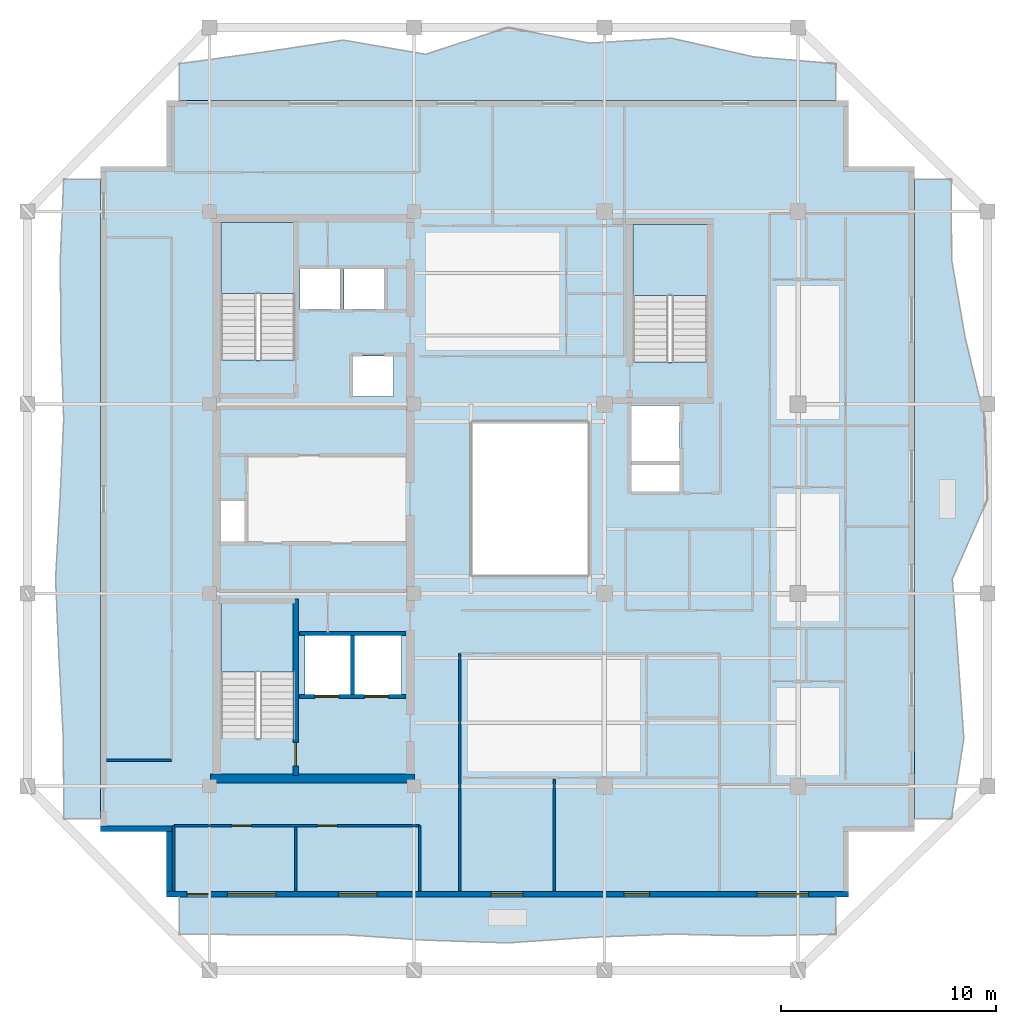
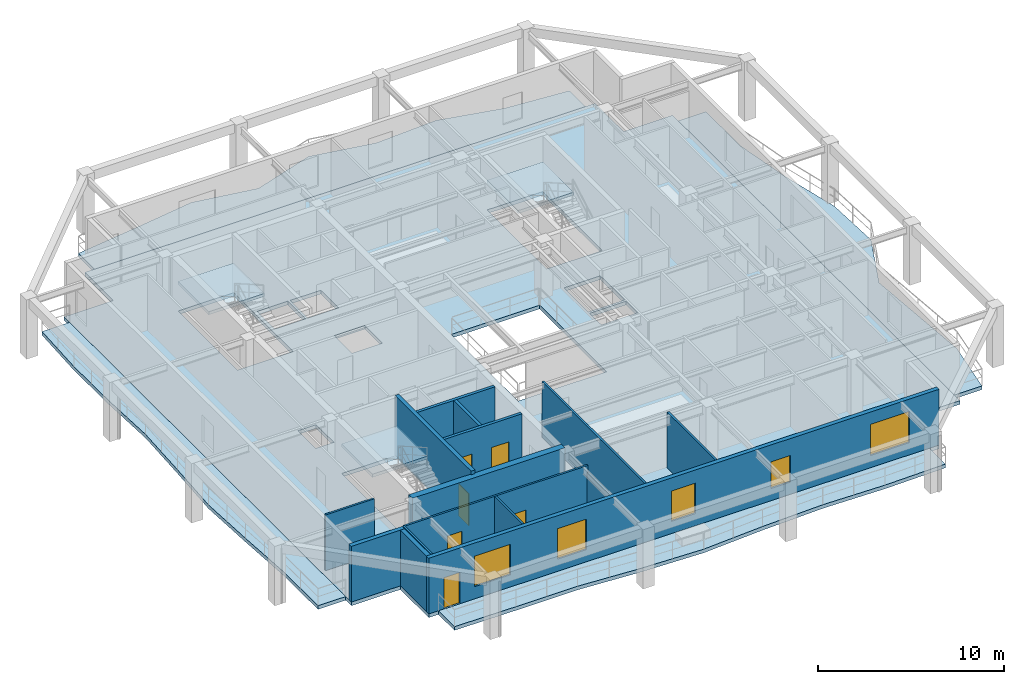
# One storey, part 2 of 10: 15 walls, 8 slabs, 6 doors, 5 windows, 11 openings, 3 elements without a shape of their own.
"""IFC4 building model written with IfcOpenShell, lengths in metres."""

from ifc_helpers import new_model, si_unit, direction, frame, frame_2d, origin, place, context, subcontext, project, spatial, polyline, rectangle, outline, extrude, material, layer, layer_set, type_object, element, fill, aggregate, save


model = new_model("IFC4")

# Units and contexts
model_context = context("Model", 3, precision=1e-05, world=origin(), true_north=direction((0.0, 1.0)))
body_context = subcontext(model_context, "Body", "Model", "MODEL_VIEW")
ifc_project = project(units=[si_unit("LENGTHUNIT", "METRE"), si_unit("AREAUNIT", "SQUARE_METRE"), si_unit("VOLUMEUNIT", "CUBIC_METRE"), si_unit("PLANEANGLEUNIT", "RADIAN"), si_unit("MASSUNIT", "GRAM", prefix="KILO")], contexts=[model_context])

# Site, building, storey
site_placement = place(None, origin())
site = spatial("IfcSite", under=ifc_project, at=site_placement, CompositionType="ELEMENT")
building_placement = place(site_placement, origin())
building = spatial("IfcBuilding", under=site, at=building_placement, Name="Kundavana Baori Tower", CompositionType="ELEMENT")
storey_placement = place(building_placement, frame((0.0, 0.0, 288.199951171875)))
storey = spatial("IfcBuildingStorey", under=building, at=storey_placement, Name="L71", CompositionType="ELEMENT", Elevation=288.199951171875)

# Slab
ifc_material_1 = material(Name="Concrete C40/50", Category="concrete")
ifc_layer_1 = layer(ifc_material_1, 0.239990234375, Name="SLB-FLR-240")
ifc_layer_set_1 = layer_set([ifc_layer_1], Name="Concrete C40/50")
slab_type_1 = type_object("IfcSlabType", Name="SLB-FLR-240", PredefinedType="FLOOR", material=ifc_layer_set_1)
slab_1_placement = place(storey_placement, frame((0.0, 0.0, -0.239990234375)))
element("IfcSlab", 1, at=slab_1_placement, inside=storey, type_object=slab_type_1, Name="L71 Structural Floor Slab", PredefinedType="FLOOR", context=body_context, shape_type="SweptSolid", body=[
    extrude(outline(polyline([(13.449951171875, 10.10009765625), (45.14990234375, 10.10009765625), (45.14990234375, 13.14990234375), (48.199951171875, 13.14990234375), (48.199951171875, 44.050048828125), (45.14990234375, 44.050048828125), (45.14990234375, 47.10009765625), (13.449951171875, 47.10009765625), (13.449951171875, 44.050048828125), (10.39990234375, 44.050048828125), (10.39990234375, 13.14990234375), (13.449951171875, 13.14990234375), (13.449951171875, 10.10009765625)]), holes=[polyline([(19.43994140625, 17.4619140625), (19.43994140625, 23.85009765625), (15.97998046875, 23.85009765625), (15.97998046875, 17.4619140625), (19.43994140625, 17.4619140625)]), polyline([(19.43994140625, 35.06201171875), (19.43994140625, 41.449951171875), (15.97998046875, 41.449951171875), (15.97998046875, 35.06201171875), (19.43994140625, 35.06201171875)]), polyline([(38.580078125, 34.9619140625), (38.580078125, 41.35009765625), (35.1201171875, 41.35009765625), (35.1201171875, 34.9619140625), (38.580078125, 34.9619140625)]), polyline([(19.64990234375, 37.39990234375), (21.550048828125, 37.39990234375), (21.550048828125, 39.300048828125), (19.64990234375, 39.300048828125), (19.64990234375, 37.39990234375)]), polyline([(21.699951171875, 37.39990234375), (23.60009765625, 37.39990234375), (23.60009765625, 39.300048828125), (21.699951171875, 39.300048828125), (21.699951171875, 37.39990234375)]), polyline([(22.10009765625, 33.35009765625), (24.0, 33.35009765625), (24.0, 35.25), (22.10009765625, 35.25), (22.10009765625, 33.35009765625)]), polyline([(19.8798828125, 19.5), (22.02001953125, 19.5), (22.02001953125, 22.25), (19.8798828125, 22.25), (19.8798828125, 19.5)]), polyline([(22.179931640625, 19.5), (24.3798828125, 19.5), (24.3798828125, 22.25), (22.179931640625, 22.25), (22.179931640625, 19.5)]), polyline([(35.050048828125, 30.35009765625), (37.300048828125, 30.35009765625), (37.300048828125, 32.949951171875), (35.050048828125, 32.949951171875), (35.050048828125, 30.35009765625)]), polyline([(15.949951171875, 26.60009765625), (17.080078125, 26.60009765625), (17.080078125, 28.5), (15.949951171875, 28.5), (15.949951171875, 26.60009765625)]), polyline([(35.050048828125, 28.949951171875), (37.300048828125, 28.949951171875), (37.300048828125, 30.199951171875), (35.050048828125, 30.199951171875), (35.050048828125, 28.949951171875)]), polyline([(27.60009765625, 25.0), (33.10009765625, 25.0), (33.10009765625, 32.199951171875), (27.60009765625, 32.199951171875), (27.60009765625, 25.0)])]), origin(), (0.0, 0.0, 1.0), 0.239990234375),
])

# Stair, slab
ifc_material_2 = material(Name="Concrete C40/50", Category="concrete")
stair_type = type_object("IfcStairType", Name="STR-DOG-1650", PredefinedType="HALF_TURN_STAIR", material=ifc_material_2)
stair_1_placement = place(storey_placement, origin())
stair_1 = element("IfcStair", 2, at=stair_1_placement, inside=storey, type_object=stair_type, Name="L71 Protected Exit Stair ST1", PredefinedType="HALF_TURN_STAIR")
ifc_material_3 = material(Name="Concrete C40/50", Category="concrete")
ifc_layer_2 = layer(ifc_material_3, 0.199951171875, Name="SLB-LND-200")
ifc_layer_set_2 = layer_set([ifc_layer_2], Name="Concrete C40/50")
slab_type_2 = type_object("IfcSlabType", Name="SLB-LND-200", PredefinedType="LANDING", material=ifc_layer_set_2)
slab_2_placement = place(storey_placement, frame((0.0, 0.0, 1.75)))
slab_2 = element("IfcSlab", 3, at=slab_2_placement, type_object=slab_type_2, Name="ST1 landing 1", PredefinedType="LANDING", context=body_context, shape_type="SweptSolid", body=[
    extrude(outline(polyline([(19.43994140625, 20.550048828125), (19.43994140625, 23.85009765625), (15.97998046875, 23.85009765625), (15.97998046875, 20.550048828125), (19.43994140625, 20.550048828125)])), origin(), (0.0, 0.0, 1.0), 0.199951171875),
])
aggregate(stair_1, [slab_2])

stair_2_placement = place(storey_placement, origin())
stair_2 = element("IfcStair", 4, at=stair_2_placement, inside=storey, type_object=stair_type, Name="L71 Protected Exit Stair ST2", PredefinedType="HALF_TURN_STAIR")
slab_3_placement = place(storey_placement, frame((0.0, 0.0, 1.75)))
slab_3 = element("IfcSlab", 5, at=slab_3_placement, type_object=slab_type_2, Name="ST2 landing 1", PredefinedType="LANDING", context=body_context, shape_type="SweptSolid", body=[
    extrude(outline(polyline([(19.43994140625, 38.14990234375), (19.43994140625, 41.449951171875), (15.97998046875, 41.449951171875), (15.97998046875, 38.14990234375), (19.43994140625, 38.14990234375)])), origin(), (0.0, 0.0, 1.0), 0.199951171875),
])
aggregate(stair_2, [slab_3])

stair_3_placement = place(storey_placement, origin())
stair_3 = element("IfcStair", 6, at=stair_3_placement, inside=storey, type_object=stair_type, Name="L71 Protected Exit Stair ST3", PredefinedType="HALF_TURN_STAIR")
slab_4_placement = place(storey_placement, frame((0.0, 0.0, 1.75)))
slab_4 = element("IfcSlab", 7, at=slab_4_placement, type_object=slab_type_2, Name="ST3 landing 1", PredefinedType="LANDING", context=body_context, shape_type="SweptSolid", body=[
    extrude(outline(polyline([(38.580078125, 38.050048828125), (38.580078125, 41.35009765625), (35.1201171875, 41.35009765625), (35.1201171875, 38.050048828125), (38.580078125, 38.050048828125)])), origin(), (0.0, 0.0, 1.0), 0.199951171875),
])
aggregate(stair_3, [slab_4])

# Slabs
ifc_material_4 = material(Name="Concrete C40/50", Category="concrete")
ifc_layer_3 = layer(ifc_material_4, 0.239990234375, Name="SLB-LOG-240")
ifc_layer_set_3 = layer_set([ifc_layer_3], Name="Concrete C40/50")
slab_type_3 = type_object("IfcSlabType", Name="SLB-LOG-240", PredefinedType="FLOOR", material=ifc_layer_set_3)
slab_5_placement = place(storey_placement, frame((0.0, 0.0, -0.239990234375)))
element("IfcSlab", 8, at=slab_5_placement, inside=storey, type_object=slab_type_3, Name="L71 Planted Loggia Balcony Slab S", PredefinedType="FLOOR", context=body_context, shape_type="SweptSolid", body=[
    extrude(outline(polyline([(14.050048828125, 10.10009765625), (44.550048828125, 10.10009765625), (44.550048828125, 8.3798828125), (40.737060546875, 8.298095703125), (36.925048828125, 8.37890625), (33.112060546875, 8.23095703125), (29.300048828125, 7.971923828125), (25.487060546875, 8.10107421875), (21.675048828125, 8.35693359375), (17.863037109375, 8.35009765625), (14.050048828125, 8.3798828125), (14.050048828125, 10.10009765625)])), origin(), (0.0, 0.0, 1.0), 0.239990234375),
])
slab_6_placement = place(storey_placement, frame((0.0, 0.0, -0.239990234375)))
element("IfcSlab", 9, at=slab_6_placement, inside=storey, type_object=slab_type_3, Name="L71 Planted Loggia Balcony Slab E", PredefinedType="FLOOR", context=body_context, shape_type="SweptSolid", body=[
    extrude(outline(polyline([(48.199951171875, 13.75), (48.199951171875, 43.449951171875), (49.919921875, 43.449951171875), (49.929931640625, 39.738037109375), (50.575927734375, 36.02490234375), (51.470947265625, 32.31201171875), (51.60009765625, 28.60009765625), (49.964111328125, 24.887939453125), (50.235107421875, 21.175048828125), (50.5, 17.4619140625), (49.919921875, 13.75), (48.199951171875, 13.75)])), origin(), (0.0, 0.0, 1.0), 0.239990234375),
])
slab_7_placement = place(storey_placement, frame((0.0, 0.0, -0.239990234375)))
element("IfcSlab", 10, at=slab_7_placement, inside=storey, type_object=slab_type_3, Name="L71 Planted Loggia Balcony Slab N", PredefinedType="FLOOR", context=body_context, shape_type="SweptSolid", body=[
    extrude(outline(polyline([(44.550048828125, 47.10009765625), (14.050048828125, 47.10009765625), (14.050048828125, 48.820068359375), (17.863037109375, 49.342041015625), (21.675048828125, 49.916015625), (25.487060546875, 49.2548828125), (29.300048828125, 50.5), (33.112060546875, 49.777099609375), (36.925048828125, 50.0029296875), (40.737060546875, 49.136962890625), (44.550048828125, 48.820068359375), (44.550048828125, 47.10009765625)])), origin(), (0.0, 0.0, 1.0), 0.239990234375),
])
slab_8_placement = place(storey_placement, frame((0.0, 0.0, -0.239990234375)))
element("IfcSlab", 11, at=slab_8_placement, inside=storey, type_object=slab_type_3, Name="L71 Planted Loggia Balcony Slab W", PredefinedType="FLOOR", context=body_context, shape_type="SweptSolid", body=[
    extrude(outline(polyline([(10.39990234375, 43.449951171875), (10.39990234375, 13.75), (8.679931640625, 13.75), (8.6640625, 17.4619140625), (8.4619140625, 21.175048828125), (8.302978515625, 24.887939453125), (8.510009765625, 28.60009765625), (8.679931640625, 32.31201171875), (8.547119140625, 36.02490234375), (8.52197265625, 39.738037109375), (8.679931640625, 43.449951171875), (10.39990234375, 43.449951171875)])), origin(), (0.0, 0.0, 1.0), 0.239990234375),
])

# Wall
ifc_material_5 = material(Name="Concrete C50/60", Category="concrete")
ifc_layer_4 = layer(ifc_material_5, 0.39990234375, Name="WL-CORE-400")
ifc_layer_set_4 = layer_set([ifc_layer_4], Name="Concrete C50/60")
wall_type_1 = type_object("IfcWallType", Name="WL-CORE-400", PredefinedType="SHEAR", material=ifc_layer_set_4)
wall_1_placement = place(storey_placement, frame((15.5, 15.610107421875, 0.0), z_axis=(0.0, 0.0, 1.0), x_axis=(1.0, 0.0, 0.0)))
element("IfcWall", 12, at=wall_1_placement, inside=storey, type_object=wall_type_1, Name="L71 Offset Core South Shear Wall", PredefinedType="SHEAR", context=body_context, shape_type="SweptSolid", body=[
    extrude(rectangle(XDim=9.47998046875, YDim=0.39990234375, at=frame_2d((4.739990234375, 0.0))), origin(), (0.0, 0.0, 1.0), 3.66015625),
])

# Wall, opening, door
wall_2_placement = place(storey_placement, frame((19.4599609375, 15.739990234375, 0.0), z_axis=(0.0, 0.0, 1.0), x_axis=(0.0, 1.0, 0.0)))
wall_2 = element("IfcWall", 13, at=wall_2_placement, inside=storey, type_object=wall_type_1, Name="WL-L71-ST1-E", PredefinedType="SHEAR", context=body_context, shape_type="SweptSolid", body=[
    extrude(rectangle(XDim=8.199951171875, YDim=0.239990234375, at=frame_2d((4.10009765625, 0.0))), origin(), (0.0, 0.0, 1.0), 3.900146484375),
])
opening_1_placement = place(wall_2_placement, frame((0.449951171875, 0.0, 0.0)))
opening_1 = element("IfcOpeningElement", 14, at=opening_1_placement, cuts=wall_2, Name="Opening FD-110", PredefinedType="OPENING", context=body_context, shape_type="SweptSolid", body=[
    extrude(rectangle(XDim=1.10009765625, YDim=2.10009765625, at=frame_2d((0.550048828125, 1.050048828125))), frame((0.0, 0.1298828125, 0.0), z_axis=(0.0, -1.0, 0.0), x_axis=(1.0, 0.0, 0.0)), (0.0, 0.0, 1.0), 0.260009765625),
])
ifc_material_6 = material(Name="Galvanised Steel Fire-Rated Door Leaf", Category="steel")
door_type_1 = type_object("IfcDoorType", Name="DR-FD120-1100", OperationType="NOTDEFINED", PredefinedType="DOOR", material=ifc_material_6)
door_1_placement = place(opening_1_placement, origin())
door_1 = element("IfcDoor", 15, at=door_1_placement, inside=storey, type_object=door_type_1, Name="DR-L71-ST1", OperationType="SINGLE_SWING_LEFT", OverallHeight=2.10009765625, OverallWidth=1.10009765625, PredefinedType="DOOR", context=body_context, shape_type="SweptSolid", body=[
    extrude(rectangle(XDim=1.10009765625, YDim=2.10009765625, at=frame_2d((0.550048828125, 1.050048828125))), frame((0.0, 0.02490234375, 0.0), z_axis=(0.0, -1.0, 0.0), x_axis=(1.0, 0.0, 0.0)), (0.0, 0.0, 1.0), 0.050048828125),
])
fill(opening_1, door_1)

# Wall, openings, door, windows
ifc_material_7 = material(Name="Kiln-Fired Terracotta Brick-Slip Masonry on Concrete C40/50", Category="masonry")
ifc_layer_5 = layer(ifc_material_7, 0.260009765625, Name="WL-EXT-BRK-260")
ifc_layer_set_5 = layer_set([ifc_layer_5], Name="Kiln-Fired Terracotta Brick-Slip Masonry on Concrete C40/50")
wall_type_2 = type_object("IfcWallType", Name="WL-EXT-BRK-260", PredefinedType="SOLIDWALL", material=ifc_layer_set_5)
wall_3_placement = place(storey_placement, frame((13.449951171875, 10.22998046875, 0.0), z_axis=(0.0, 0.0, 1.0), x_axis=(1.0, 0.0, 0.0)))
wall_3 = element("IfcWall", 16, at=wall_3_placement, inside=storey, type_object=wall_type_2, Name="L71 Exterior Insulated Facade Wall 01", PredefinedType="SOLIDWALL", context=body_context, shape_type="SweptSolid", body=[
    extrude(rectangle(XDim=31.699951171875, YDim=0.260009765625, at=frame_2d((15.85009765625, 0.0))), origin(), (0.0, 0.0, 1.0), 3.66015625),
])
opening_2_placement = place(wall_3_placement, frame((0.949951171875, 0.0, 0.0)))
opening_2 = element("IfcOpeningElement", 17, at=opening_2_placement, cuts=wall_3, Name="Opening BD-1", PredefinedType="OPENING", context=body_context, shape_type="SweptSolid", body=[
    extrude(rectangle(XDim=1.0, YDim=2.050048828125, at=frame_2d((0.5, 1.02490234375))), frame((0.0, 0.14013671875, 0.0), z_axis=(0.0, -1.0, 0.0), x_axis=(1.0, 0.0, 0.0)), (0.0, 0.0, 1.0), 0.280029296875),
])
opening_3_placement = place(wall_3_placement, frame((2.8349609375, 0.0, 0.800048828125)))
opening_3 = element("IfcOpeningElement", 18, at=opening_3_placement, cuts=wall_3, Name="Opening W-10", PredefinedType="OPENING", context=body_context, shape_type="SweptSolid", body=[
    extrude(rectangle(XDim=2.25, YDim=2.0, at=frame_2d((1.125, 1.0))), frame((0.0, 0.14013671875, 0.0), z_axis=(0.0, -1.0, 0.0), x_axis=(1.0, 0.0, 0.0)), (0.0, 0.0, 1.0), 0.280029296875),
])
opening_4_placement = place(wall_3_placement, frame((7.9951171875, 0.0, 0.800048828125)))
opening_4 = element("IfcOpeningElement", 19, at=opening_4_placement, cuts=wall_3, Name="Opening W-01", PredefinedType="OPENING", context=body_context, shape_type="SweptSolid", body=[
    extrude(rectangle(XDim=1.800048828125, YDim=2.0, at=frame_2d((0.89990234375, 1.0))), frame((0.0, 0.14013671875, 0.0), z_axis=(0.0, -1.0, 0.0), x_axis=(1.0, 0.0, 0.0)), (0.0, 0.0, 1.0), 0.280029296875),
])
opening_5_placement = place(wall_3_placement, frame((15.072998046875, 0.0, 0.800048828125)))
opening_5 = element("IfcOpeningElement", 20, at=opening_5_placement, cuts=wall_3, Name="Opening W-02", PredefinedType="OPENING", context=body_context, shape_type="SweptSolid", body=[
    extrude(rectangle(XDim=1.5, YDim=2.0, at=frame_2d((0.75, 1.0))), frame((0.0, 0.14013671875, 0.0), z_axis=(0.0, -1.0, 0.0), x_axis=(1.0, 0.0, 0.0)), (0.0, 0.0, 1.0), 0.280029296875),
])
opening_6_placement = place(wall_3_placement, frame((21.258056640625, 0.0, 0.800048828125)))
opening_6 = element("IfcOpeningElement", 21, at=opening_6_placement, cuts=wall_3, Name="Opening W-03", PredefinedType="OPENING", context=body_context, shape_type="SweptSolid", body=[
    extrude(rectangle(XDim=1.199951171875, YDim=1.75, at=frame_2d((0.60009765625, 0.875))), frame((0.0, 0.14013671875, 0.0), z_axis=(0.0, -1.0, 0.0), x_axis=(1.0, 0.0, 0.0)), (0.0, 0.0, 1.0), 0.280029296875),
])
opening_7_placement = place(wall_3_placement, frame((27.445068359375, 0.0, 0.800048828125)))
opening_7 = element("IfcOpeningElement", 22, at=opening_7_placement, cuts=wall_3, Name="Opening W-04", PredefinedType="OPENING", context=body_context, shape_type="SweptSolid", body=[
    extrude(rectangle(XDim=2.39990234375, YDim=2.050048828125, at=frame_2d((1.199951171875, 1.02490234375))), frame((0.0, 0.14013671875, 0.0), z_axis=(0.0, -1.0, 0.0), x_axis=(1.0, 0.0, 0.0)), (0.0, 0.0, 1.0), 0.280029296875),
])
ifc_material_8 = material(Name="Architectural Patinated Bronze Metalwork")
door_type_2 = type_object("IfcDoorType", Name="DR-EXT-LOG-1000", OperationType="NOTDEFINED", PredefinedType="DOOR", material=ifc_material_8)
door_2_placement = place(opening_2_placement, frame((1.0, 0.0, 0.0), z_axis=(0.0, 0.0, 1.0), x_axis=(-1.0, 0.0, 0.0)))
door_2 = element("IfcDoor", 23, at=door_2_placement, inside=storey, type_object=door_type_2, Name="L71 Loggia Balcony Access Door S", OperationType="SINGLE_SWING_LEFT", OverallHeight=2.050048828125, OverallWidth=1.0, PredefinedType="DOOR", context=body_context, shape_type="SweptSolid", body=[
    extrude(rectangle(XDim=1.0, YDim=2.050048828125, at=frame_2d((0.5, 1.02490234375))), frame((0.0, 0.02490234375, 0.0), z_axis=(0.0, -1.0, 0.0), x_axis=(1.0, 0.0, 0.0)), (0.0, 0.0, 1.0), 0.050048828125),
])
fill(opening_2, door_2)
ifc_material_9 = material(Name="Double-Glazed Solar-Control Low-E Insulated Glass", Category="glass")
window_type_1 = type_object("IfcWindowType", Name="WIN-LOG-1200x1750", PartitioningType="SINGLE_PANEL", PredefinedType="WINDOW", material=ifc_material_9)
window_1_placement = place(opening_6_placement, origin())
window_1 = element("IfcWindow", 24, at=window_1_placement, inside=storey, type_object=window_type_1, Name="L71 Recessed Loggia Window S-4", OverallHeight=1.75, OverallWidth=1.199951171875, PartitioningType="SINGLE_PANEL", PredefinedType="WINDOW", context=body_context, shape_type="SweptSolid", body=[
    extrude(rectangle(XDim=1.199951171875, YDim=1.75, at=frame_2d((0.60009765625, 0.875))), frame((0.0, 0.030029296875, 0.0), z_axis=(0.0, -1.0, 0.0), x_axis=(1.0, 0.0, 0.0)), (0.0, 0.0, 1.0), 0.06005859375),
])
fill(opening_6, window_1)
ifc_material_10 = material(Name="Double-Glazed Solar-Control Low-E Insulated Glass", Category="glass")
window_type_2 = type_object("IfcWindowType", Name="WIN-LOG-1500x2000", PartitioningType="SINGLE_PANEL", PredefinedType="WINDOW", material=ifc_material_10)
window_2_placement = place(opening_5_placement, origin())
window_2 = element("IfcWindow", 25, at=window_2_placement, inside=storey, type_object=window_type_2, Name="L71 Recessed Loggia Window S-3", OverallHeight=2.0, OverallWidth=1.5, PartitioningType="SINGLE_PANEL", PredefinedType="WINDOW", context=body_context, shape_type="SweptSolid", body=[
    extrude(rectangle(XDim=1.5, YDim=2.0, at=frame_2d((0.75, 1.0))), frame((0.0, 0.030029296875, 0.0), z_axis=(0.0, -1.0, 0.0), x_axis=(1.0, 0.0, 0.0)), (0.0, 0.0, 1.0), 0.06005859375),
])
fill(opening_5, window_2)
ifc_material_11 = material(Name="Double-Glazed Solar-Control Low-E Insulated Glass", Category="glass")
window_type_3 = type_object("IfcWindowType", Name="WIN-LOG-1800x2000", PartitioningType="SINGLE_PANEL", PredefinedType="WINDOW", material=ifc_material_11)
window_3_placement = place(opening_4_placement, origin())
window_3 = element("IfcWindow", 26, at=window_3_placement, inside=storey, type_object=window_type_3, Name="L71 Recessed Loggia Window S-2", OverallHeight=2.0, OverallWidth=1.800048828125, PartitioningType="SINGLE_PANEL", PredefinedType="WINDOW", context=body_context, shape_type="SweptSolid", body=[
    extrude(rectangle(XDim=1.800048828125, YDim=2.0, at=frame_2d((0.89990234375, 1.0))), frame((0.0, 0.030029296875, 0.0), z_axis=(0.0, -1.0, 0.0), x_axis=(1.0, 0.0, 0.0)), (0.0, 0.0, 1.0), 0.06005859375),
])
fill(opening_4, window_3)
ifc_material_12 = material(Name="Double-Glazed Solar-Control Low-E Insulated Glass", Category="glass")
window_type_4 = type_object("IfcWindowType", Name="WIN-LOG-2250x2000", PartitioningType="SINGLE_PANEL", PredefinedType="WINDOW", material=ifc_material_12)
window_4_placement = place(opening_3_placement, origin())
window_4 = element("IfcWindow", 27, at=window_4_placement, inside=storey, type_object=window_type_4, Name="L71 Recessed Loggia Window S-1", OverallHeight=2.0, OverallWidth=2.25, PartitioningType="SINGLE_PANEL", PredefinedType="WINDOW", context=body_context, shape_type="SweptSolid", body=[
    extrude(rectangle(XDim=2.25, YDim=2.0, at=frame_2d((1.125, 1.0))), frame((0.0, 0.030029296875, 0.0), z_axis=(0.0, -1.0, 0.0), x_axis=(1.0, 0.0, 0.0)), (0.0, 0.0, 1.0), 0.06005859375),
])
fill(opening_3, window_4)
ifc_material_13 = material(Name="Double-Glazed Solar-Control Low-E Insulated Glass", Category="glass")
window_type_5 = type_object("IfcWindowType", Name="WIN-LOG-2400x2050", PartitioningType="SINGLE_PANEL", PredefinedType="WINDOW", material=ifc_material_13)
window_5_placement = place(opening_7_placement, origin())
window_5 = element("IfcWindow", 28, at=window_5_placement, inside=storey, type_object=window_type_5, Name="L71 Recessed Loggia Window S-5", OverallHeight=2.050048828125, OverallWidth=2.39990234375, PartitioningType="SINGLE_PANEL", PredefinedType="WINDOW", context=body_context, shape_type="SweptSolid", body=[
    extrude(rectangle(XDim=2.39990234375, YDim=2.050048828125, at=frame_2d((1.199951171875, 1.02490234375))), frame((0.0, 0.030029296875, 0.0), z_axis=(0.0, -1.0, 0.0), x_axis=(1.0, 0.0, 0.0)), (0.0, 0.0, 1.0), 0.06005859375),
])
fill(opening_7, window_5)

# Walls
wall_4_placement = place(storey_placement, frame((10.39990234375, 13.280029296875, 0.0), z_axis=(0.0, 0.0, 1.0), x_axis=(1.0, 0.0, 0.0)))
element("IfcWall", 29, at=wall_4_placement, inside=storey, type_object=wall_type_2, Name="L71 Exterior Insulated Facade Wall 11", PredefinedType="SOLIDWALL", context=body_context, shape_type="SweptSolid", body=[
    extrude(rectangle(XDim=3.31005859375, YDim=0.260009765625, at=frame_2d((1.655029296875, 0.0))), origin(), (0.0, 0.0, 1.0), 3.66015625),
])
wall_5_placement = place(storey_placement, frame((13.580078125, 13.14990234375, 0.0), z_axis=(0.0, 0.0, 1.0), x_axis=(0.0, -1.0, 0.0)))
element("IfcWall", 30, at=wall_5_placement, inside=storey, type_object=wall_type_2, Name="L71 Exterior Insulated Facade Wall 12", PredefinedType="SOLIDWALL", context=body_context, shape_type="SweptSolid", body=[
    extrude(rectangle(XDim=2.789794921875, YDim=0.260009765625, at=frame_2d((1.39501953125, 0.0))), origin(), (0.0, 0.0, 1.0), 3.66015625),
])
ifc_material_14 = material(Name="Acoustic Gypsum Plasterboard on Galvanised Steel Studs", Category="steel")
ifc_layer_6 = layer(ifc_material_14, 0.1201171875, Name="WL-PART-120")
ifc_layer_set_6 = layer_set([ifc_layer_6], Name="Acoustic Gypsum Plasterboard on Galvanised Steel Studs")
wall_type_3 = type_object("IfcWallType", Name="WL-PART-120", PredefinedType="PARTITIONING", material=ifc_layer_set_6)
wall_6_placement = place(storey_placement, frame((27.080078125, 10.3798828125, 0.0), z_axis=(0.0, 0.0, 1.0), x_axis=(0.0, 1.0, 0.0)))
element("IfcWall", 31, at=wall_6_placement, inside=storey, type_object=wall_type_3, Name="WL-L71-RSW", PredefinedType="PARTITIONING", context=body_context, shape_type="SweptSolid", body=[
    extrude(rectangle(XDim=11.0400390625, YDim=0.1201171875, at=frame_2d((5.52001953125, 0.0))), origin(), (0.0, 0.0, 1.0), 3.66015625),
])

# Wall, openings, doors
wall_7_placement = place(storey_placement, frame((13.800048828125, 13.419921875, 0.0), z_axis=(0.0, 0.0, 1.0), x_axis=(1.0, 0.0, 0.0)))
wall_7 = element("IfcWall", 32, at=wall_7_placement, inside=storey, type_object=wall_type_3, Name="WL-L71-RSC", PredefinedType="PARTITIONING", context=body_context, shape_type="SweptSolid", body=[
    extrude(rectangle(XDim=11.419921875, YDim=0.1201171875, at=frame_2d((5.7099609375, 0.0))), origin(), (0.0, 0.0, 1.0), 3.66015625),
])
opening_8_placement = place(wall_7_placement, frame((2.699951171875, 0.0, 0.0)))
opening_8 = element("IfcOpeningElement", 33, at=opening_8_placement, cuts=wall_7, Name="Opening ID-090", PredefinedType="OPENING", context=body_context, shape_type="SweptSolid", body=[
    extrude(rectangle(XDim=0.89990234375, YDim=2.080078125, at=frame_2d((0.449951171875, 1.0400390625))), frame((0.0, 0.070068359375, 0.0), z_axis=(0.0, -1.0, 0.0), x_axis=(1.0, 0.0, 0.0)), (0.0, 0.0, 1.0), 0.14013671875),
])
opening_9_placement = place(wall_7_placement, frame((6.669921875, 0.0, 0.0)))
opening_9 = element("IfcOpeningElement", 34, at=opening_9_placement, cuts=wall_7, Name="Opening ID-090", PredefinedType="OPENING", context=body_context, shape_type="SweptSolid", body=[
    extrude(rectangle(XDim=0.89990234375, YDim=2.080078125, at=frame_2d((0.449951171875, 1.0400390625))), frame((0.0, 0.070068359375, 0.0), z_axis=(0.0, -1.0, 0.0), x_axis=(1.0, 0.0, 0.0)), (0.0, 0.0, 1.0), 0.14013671875),
])
ifc_material_15 = material(Name="Engineered Teak Solid-Core Timber Veneer", Category="wood")
door_type_3 = type_object("IfcDoorType", Name="DR-INT-900", OperationType="NOTDEFINED", PredefinedType="DOOR", material=ifc_material_15)
door_3_placement = place(opening_8_placement, frame((0.89990234375, 0.0, 0.0), z_axis=(0.0, 0.0, 1.0), x_axis=(-1.0, 0.0, 0.0)))
door_3 = element("IfcDoor", 35, at=door_3_placement, inside=storey, type_object=door_type_3, Name="DR-L71-RMSW1", OperationType="SINGLE_SWING_LEFT", OverallHeight=2.080078125, OverallWidth=0.89990234375, PredefinedType="DOOR", context=body_context, shape_type="SweptSolid", body=[
    extrude(rectangle(XDim=0.89990234375, YDim=2.080078125, at=frame_2d((0.449951171875, 1.0400390625))), frame((0.0, 0.02490234375, 0.0), z_axis=(0.0, -1.0, 0.0), x_axis=(1.0, 0.0, 0.0)), (0.0, 0.0, 1.0), 0.050048828125),
])
fill(opening_8, door_3)
door_4_placement = place(opening_9_placement, frame((0.89990234375, 0.0, 0.0), z_axis=(0.0, 0.0, 1.0), x_axis=(-1.0, 0.0, 0.0)))
door_4 = element("IfcDoor", 36, at=door_4_placement, inside=storey, type_object=door_type_3, Name="DR-L71-RMSW2", OperationType="SINGLE_SWING_RIGHT", OverallHeight=2.080078125, OverallWidth=0.89990234375, PredefinedType="DOOR", context=body_context, shape_type="SweptSolid", body=[
    extrude(rectangle(XDim=0.89990234375, YDim=2.080078125, at=frame_2d((0.449951171875, 1.0400390625))), frame((0.0, 0.02490234375, 0.0), z_axis=(0.0, -1.0, 0.0), x_axis=(1.0, 0.0, 0.0)), (0.0, 0.0, 1.0), 0.050048828125),
])
fill(opening_9, door_4)

# Walls
wall_8_placement = place(storey_placement, frame((13.800048828125, 10.3798828125, 0.0), z_axis=(0.0, 0.0, 1.0), x_axis=(0.0, 1.0, 0.0)))
element("IfcWall", 37, at=wall_8_placement, inside=storey, type_object=wall_type_3, Name="WL-L71-RSCW", PredefinedType="PARTITIONING", context=body_context, shape_type="SweptSolid", body=[
    extrude(rectangle(XDim=3.0400390625, YDim=0.1201171875, at=frame_2d((1.52001953125, 0.0))), origin(), (0.0, 0.0, 1.0), 3.66015625),
])
wall_9_placement = place(storey_placement, frame((25.219970703125, 10.3798828125, 0.0), z_axis=(0.0, 0.0, 1.0), x_axis=(0.0, 1.0, 0.0)))
element("IfcWall", 38, at=wall_9_placement, inside=storey, type_object=wall_type_3, Name="WL-L71-RSCE", PredefinedType="PARTITIONING", context=body_context, shape_type="SweptSolid", body=[
    extrude(rectangle(XDim=3.0400390625, YDim=0.1201171875, at=frame_2d((1.52001953125, 0.0))), origin(), (0.0, 0.0, 1.0), 3.2099609375),
])
wall_10_placement = place(storey_placement, frame((19.469970703125, 10.3798828125, 0.0), z_axis=(0.0, 0.0, 1.0), x_axis=(0.0, 1.0, 0.0)))
element("IfcWall", 39, at=wall_10_placement, inside=storey, type_object=wall_type_3, Name="WL-L71-RSCD", PredefinedType="PARTITIONING", context=body_context, shape_type="SweptSolid", body=[
    extrude(rectangle(XDim=2.980224609375, YDim=0.1201171875, at=frame_2d((1.490234375, 0.0))), origin(), (0.0, 0.0, 1.0), 3.66015625),
])
wall_11_placement = place(storey_placement, frame((10.679931640625, 16.449951171875, 0.0), z_axis=(0.0, 0.0, 1.0), x_axis=(1.0, 0.0, 0.0)))
element("IfcWall", 40, at=wall_11_placement, inside=storey, type_object=wall_type_3, Name="WL-L71-RWS", PredefinedType="PARTITIONING", context=body_context, shape_type="SweptSolid", body=[
    extrude(rectangle(XDim=3.02001953125, YDim=0.1201171875, at=frame_2d((1.510009765625, 0.0))), origin(), (0.0, 0.0, 1.0), 3.66015625),
])
wall_12_placement = place(storey_placement, frame((31.465087890625, 10.3798828125, 0.0), z_axis=(0.0, 0.0, 1.0), x_axis=(0.0, 1.0, 0.0)))
element("IfcWall", 41, at=wall_12_placement, inside=storey, type_object=wall_type_3, Name="WL-L71-S1-BDV", PredefinedType="PARTITIONING", context=body_context, shape_type="SweptSolid", body=[
    extrude(rectangle(XDim=5.18115234375, YDim=0.1201171875, at=frame_2d((2.590576171875, 0.0))), origin(), (0.0, 0.0, 1.0), 3.66015625),
])

# Wall, openings, doors
ifc_material_16 = material(Name="Autoclaved Aerated Concrete Blockwork Masonry", Category="masonry")
ifc_layer_7 = layer(ifc_material_16, 0.179931640625, Name="WL-SHAFT-180")
ifc_layer_set_7 = layer_set([ifc_layer_7], Name="Autoclaved Aerated Concrete Blockwork Masonry")
wall_type_4 = type_object("IfcWallType", Name="WL-SHAFT-180", PredefinedType="SOLIDWALL", material=ifc_layer_set_7)
wall_13_placement = place(storey_placement, frame((19.639892578125, 19.419921875, 0.0), z_axis=(0.0, 0.0, 1.0), x_axis=(1.0, 0.0, 0.0)))
wall_13 = element("IfcWall", 42, at=wall_13_placement, inside=storey, type_object=wall_type_4, Name="WL-L71-FFL-S", PredefinedType="SOLIDWALL", context=body_context, shape_type="SweptSolid", body=[
    extrude(rectangle(XDim=4.940185546875, YDim=0.179931640625, at=frame_2d((2.47021484375, 0.0))), origin(), (0.0, 0.0, 1.0), 3.66015625),
])
opening_10_placement = place(wall_13_placement, frame((0.719970703125, 0.0, 0.0)))
opening_10 = element("IfcOpeningElement", 43, at=opening_10_placement, cuts=wall_13, Name="Opening LD-110", PredefinedType="OPENING", context=body_context, shape_type="SweptSolid", body=[
    extrude(rectangle(XDim=1.10009765625, YDim=2.10009765625, at=frame_2d((0.550048828125, 1.050048828125))), frame((0.0, 0.10009765625, 0.0), z_axis=(0.0, -1.0, 0.0), x_axis=(1.0, 0.0, 0.0)), (0.0, 0.0, 1.0), 0.199951171875),
])
opening_11_placement = place(wall_13_placement, frame((3.02001953125, 0.0, 0.0)))
opening_11 = element("IfcOpeningElement", 44, at=opening_11_placement, cuts=wall_13, Name="Opening LD-110", PredefinedType="OPENING", context=body_context, shape_type="SweptSolid", body=[
    extrude(rectangle(XDim=1.10009765625, YDim=2.10009765625, at=frame_2d((0.550048828125, 1.050048828125))), frame((0.0, 0.10009765625, 0.0), z_axis=(0.0, -1.0, 0.0), x_axis=(1.0, 0.0, 0.0)), (0.0, 0.0, 1.0), 0.199951171875),
])
ifc_material_17 = material(Name="Galvanised Steel Fire-Rated Door Leaf", Category="steel")
door_type_4 = type_object("IfcDoorType", Name="DR-SLIDE-LD1100", OperationType="NOTDEFINED", PredefinedType="DOOR", material=ifc_material_17)
door_5_placement = place(opening_10_placement, origin())
door_5 = element("IfcDoor", 45, at=door_5_placement, inside=storey, type_object=door_type_4, Name="DR-L71-LD-FFL-1", OperationType="DOUBLE_DOOR_SLIDING", OverallHeight=2.10009765625, OverallWidth=1.10009765625, PredefinedType="DOOR", context=body_context, shape_type="SweptSolid", body=[
    extrude(rectangle(XDim=1.10009765625, YDim=2.10009765625, at=frame_2d((0.550048828125, 1.050048828125))), frame((0.0, 0.02490234375, 0.0), z_axis=(0.0, -1.0, 0.0), x_axis=(1.0, 0.0, 0.0)), (0.0, 0.0, 1.0), 0.050048828125),
])
fill(opening_10, door_5)
door_6_placement = place(opening_11_placement, origin())
door_6 = element("IfcDoor", 46, at=door_6_placement, inside=storey, type_object=door_type_4, Name="DR-L71-LD-FFL-2", OperationType="DOUBLE_DOOR_SLIDING", OverallHeight=2.10009765625, OverallWidth=1.10009765625, PredefinedType="DOOR", context=body_context, shape_type="SweptSolid", body=[
    extrude(rectangle(XDim=1.10009765625, YDim=2.10009765625, at=frame_2d((0.550048828125, 1.050048828125))), frame((0.0, 0.02490234375, 0.0), z_axis=(0.0, -1.0, 0.0), x_axis=(1.0, 0.0, 0.0)), (0.0, 0.0, 1.0), 0.050048828125),
])
fill(opening_11, door_6)

# Walls
wall_14_placement = place(storey_placement, frame((22.10009765625, 19.510009765625, 0.0), z_axis=(0.0, 0.0, 1.0), x_axis=(0.0, 1.0, 0.0)))
element("IfcWall", 47, at=wall_14_placement, inside=storey, type_object=wall_type_4, Name="WL-L71-FFL-MID", PredefinedType="SOLIDWALL", context=body_context, shape_type="SweptSolid", body=[
    extrude(rectangle(XDim=2.739990234375, YDim=0.179931640625, at=frame_2d((1.3701171875, 0.0))), origin(), (0.0, 0.0, 1.0), 3.66015625),
])
wall_15_placement = place(storey_placement, frame((19.639892578125, 22.340087890625, 0.0), z_axis=(0.0, 0.0, 1.0), x_axis=(1.0, 0.0, 0.0)))
element("IfcWall", 48, at=wall_15_placement, inside=storey, type_object=wall_type_4, Name="WL-L71-FFL-N", PredefinedType="SOLIDWALL", context=body_context, shape_type="SweptSolid", body=[
    extrude(rectangle(XDim=4.940185546875, YDim=0.179931640625, at=frame_2d((2.47021484375, 0.0))), origin(), (0.0, 0.0, 1.0), 3.66015625),
])

save(model, "model.ifc")
